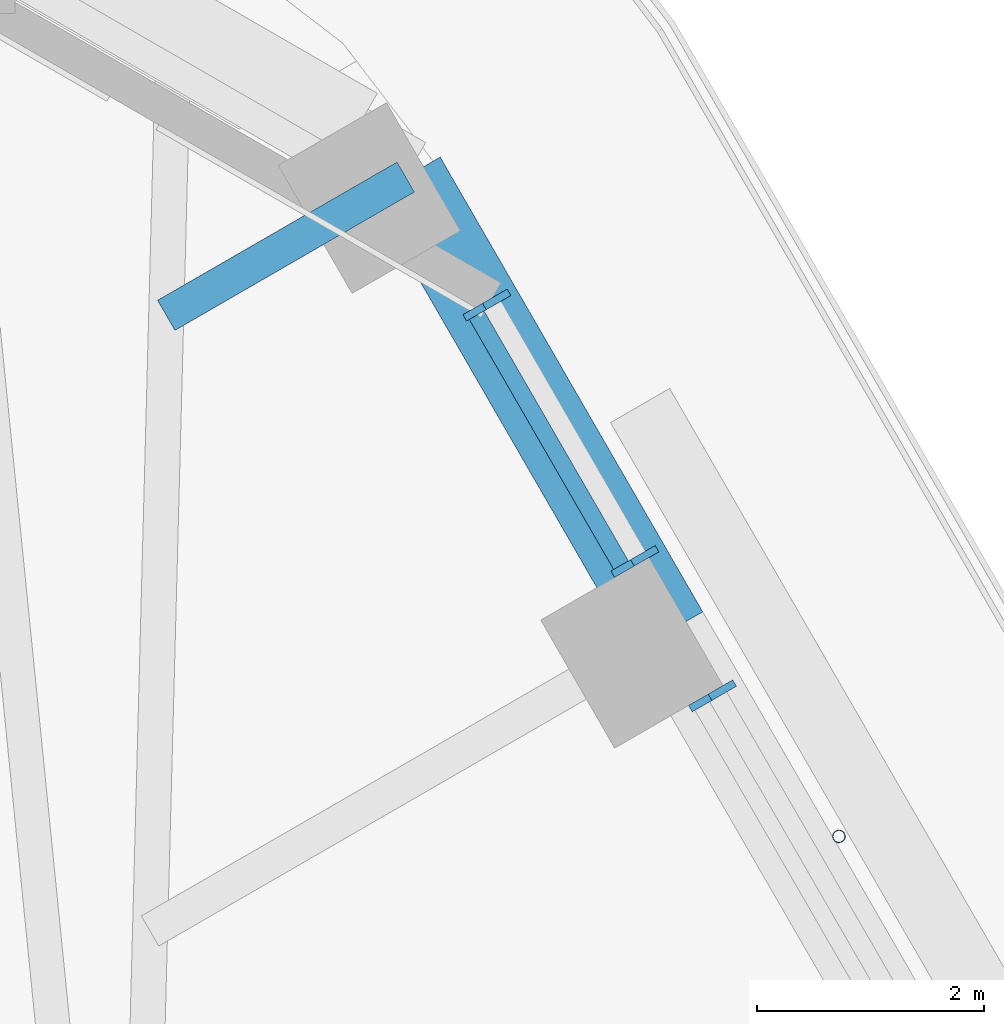
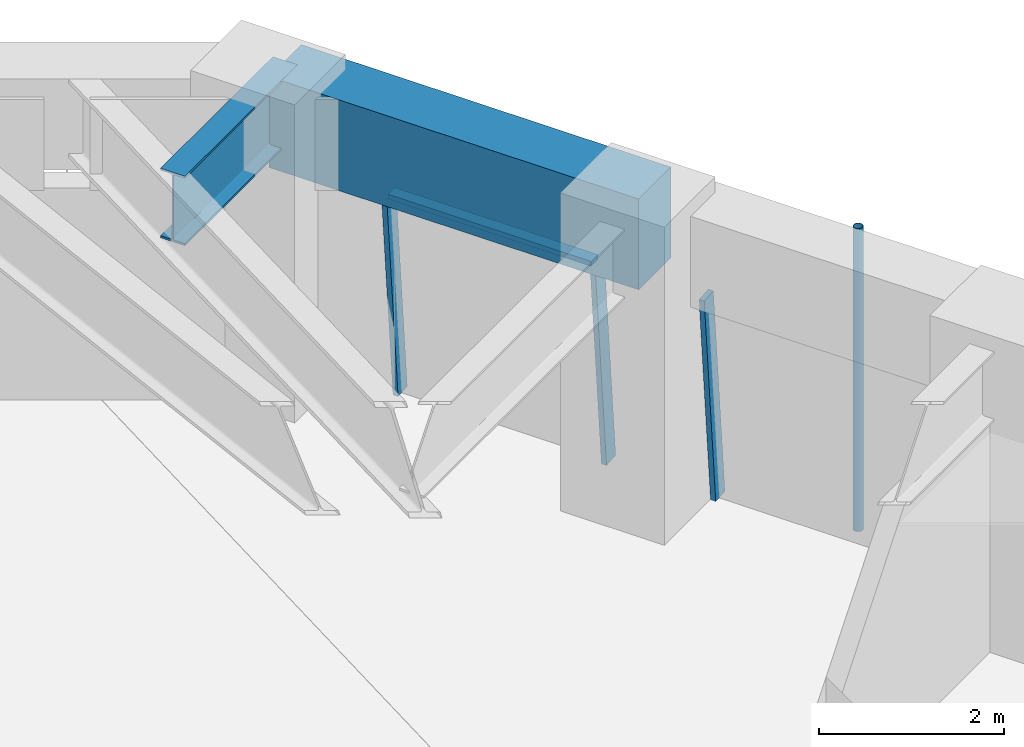
# One storey, part 12 of 20: 5 members, 2 beams, 2 elements without a shape of their own.
"""IFC4 building model written with IfcOpenShell, lengths in metres."""

from ifc_helpers import new_model, si_unit, direction, frame, origin, origin_2d, place, context, subcontext, project, spatial, rectangle, hollow_circle, i_section, extrude, material, material_profile, profile_set, type_object, element, aggregate, save


model = new_model("IFC4")

# Units and contexts
model_context = context("Model", 3, precision=1e-05, world=origin(), true_north=direction((0.0, 1.0)))
body_context = subcontext(model_context, "Body", "Model", "MODEL_VIEW")
ifc_project = project(units=[si_unit("LENGTHUNIT", "METRE"), si_unit("AREAUNIT", "SQUARE_METRE"), si_unit("VOLUMEUNIT", "CUBIC_METRE"), si_unit("PLANEANGLEUNIT", "RADIAN"), si_unit("MASSUNIT", "GRAM", prefix="KILO")], contexts=[model_context])

# Site, building, storey
site_placement = place(None, origin())
site = spatial("IfcSite", under=ifc_project, at=site_placement, CompositionType="ELEMENT")
building_placement = place(site_placement, origin())
building = spatial("IfcBuilding", under=site, at=building_placement, Name="Tarfa Lantern Tower", CompositionType="ELEMENT")
storey_placement = place(building_placement, frame((0.0, 0.0, 244.89990234375)))
storey = spatial("IfcBuildingStorey", under=building, at=storey_placement, Name="L55", CompositionType="ELEMENT", Elevation=244.89990234375)

# Curtain wall, member
ifc_material_1 = material(Name="Aluminium framed curtain wall", Category="aluminium")
curtain_wall_type = type_object("IfcCurtainWallType", Name="CW3 CANTED GLAZING HIGH ZONE 2800", PredefinedType="USERDEFINED", material=ifc_material_1)
curtain_wall_1_placement = place(storey_placement, origin())
curtain_wall_1 = element("IfcCurtainWall", 1, at=curtain_wall_1_placement, inside=storey, type_object=curtain_wall_type, Name="CW3 NE L55", ObjectType="CURTAIN WALL", PredefinedType="USERDEFINED")
ifc_material_2 = material(Name="Aluminium mullion", Category="aluminium")
ifc_material_profile_1 = material_profile(ifc_material_2, rectangle(XDim=0.06494140625, YDim=0.199951171875, at=origin_2d()), Name="AL MULLION 65x200")
ifc_profile_set_1 = profile_set([ifc_material_profile_1], Name="Aluminium mullion")
member_type_1 = type_object("IfcMemberType", Name="CWM1 MULLION 65x200", PredefinedType="MULLION", material=ifc_profile_set_1)
member_1_placement = place(storey_placement, frame((20.75048828125, 21.85888671875, 0.0), z_axis=(-0.076946055247, -0.044465440504, 0.996043236603), x_axis=(0.500342721131, -0.865827443207, 0.0)))
member_1 = element("IfcMember", 2, at=member_1_placement, type_object=member_type_1, Name="CW3 mullion 2", PredefinedType="MULLION", context=body_context, shape_type="SweptSolid", body=[
    extrude(rectangle(XDim=0.06494140625, YDim=0.199951171875, at=origin_2d()), origin(), (0.0, 0.0, 1.0), 2.811279296875),
])
aggregate(curtain_wall_1, [member_1])

# Curtain wall, members
curtain_wall_2_placement = place(storey_placement, origin())
curtain_wall_2 = element("IfcCurtainWall", 3, at=curtain_wall_2_placement, inside=storey, type_object=curtain_wall_type, Name="CW3 NE L55", ObjectType="CURTAIN WALL", PredefinedType="USERDEFINED")
member_2_placement = place(storey_placement, frame((20.068115234375, 23.041015625, 0.0), z_axis=(-0.077032386753, -0.044465143199, 0.996036576854), x_axis=(0.499919672301, -0.866071776036, 0.0)))
member_2 = element("IfcMember", 4, at=member_2_placement, type_object=member_type_1, Name="CW3 mullion 1", PredefinedType="MULLION", context=body_context, shape_type="SweptSolid", body=[
    extrude(rectangle(XDim=0.06494140625, YDim=0.199951171875, at=origin_2d()), origin(), (0.0, 0.0, 1.0), 2.811279296875),
])
member_3_placement = place(storey_placement, frame((18.76611328125, 25.296142578125, 0.0), z_axis=(-0.077032386753, -0.044465143199, 0.996036576854), x_axis=(0.499919672301, -0.866071776036, 0.0)))
member_3 = element("IfcMember", 5, at=member_3_placement, type_object=member_type_1, Name="CW3 mullion 2", PredefinedType="MULLION", context=body_context, shape_type="SweptSolid", body=[
    extrude(rectangle(XDim=0.06494140625, YDim=0.199951171875, at=origin_2d()), origin(), (0.0, 0.0, 1.0), 2.811279296875),
])
ifc_material_3 = material(Name="Aluminium transom", Category="aluminium")
ifc_material_profile_2 = material_profile(ifc_material_3, rectangle(XDim=0.14990234375, YDim=0.06494140625, at=origin_2d()), Name="AL TRANSOM 150x65")
ifc_profile_set_2 = profile_set([ifc_material_profile_2], Name="Aluminium transom")
member_type_2 = type_object("IfcMemberType", Name="CWT1 TRANSOM 150x65", PredefinedType="USERDEFINED", material=ifc_profile_set_2)
member_4_placement = place(storey_placement, frame((19.837890625, 22.945556640625, 2.767578125), z_axis=(-0.500027655771, 0.866009436129, 0.0), x_axis=(-0.866009436129, -0.500027655771, 0.0)))
member_4 = element("IfcMember", 6, at=member_4_placement, type_object=member_type_2, Name="CW3 transom 1.2", ObjectType="TRANSOM", PredefinedType="USERDEFINED", context=body_context, shape_type="SweptSolid", body=[
    extrude(rectangle(XDim=0.14990234375, YDim=0.06494140625, at=origin_2d()), origin(), (0.0, 0.0, 1.0), 2.538818359375),
])
aggregate(curtain_wall_2, [member_2, member_3, member_4])

# Beam
ifc_material_4 = material(Name="Concrete C80/95", Category="concrete")
ifc_material_profile_3 = material_profile(ifc_material_4, rectangle(XDim=0.699951171875, YDim=1.199951171875, at=origin_2d()), Name="RC 700x1200")
ifc_profile_set_3 = profile_set([ifc_material_profile_3], Name="Concrete C80/95")
beam_type_1 = type_object("IfcBeamType", Name="EB3 RC 700x1200", PredefinedType="SPANDREL", material=ifc_profile_set_3)
beam_1_placement = place(storey_placement, frame((20.25341796875, 22.360107421875, 3.400146484375), z_axis=(-0.499987836815, 0.866032426089, 0.0), x_axis=(-0.866032426089, -0.499987836815, 0.0)))
element("IfcBeam", 7, at=beam_1_placement, inside=storey, type_object=beam_type_1, Name="Edge beam NE5", PredefinedType="SPANDREL", context=body_context, shape_type="SweptSolid", body=[
    extrude(rectangle(XDim=0.699951171875, YDim=1.199951171875, at=origin_2d()), origin(), (0.0, 0.0, 1.0), 4.61865234375),
])

# Member
ifc_material_5 = material(Name="Steel S355", Category="steel")
ifc_material_profile_4 = material_profile(ifc_material_5, hollow_circle(Radius=0.05712890625, WallThickness=0.00634765625, at=origin_2d()), Name="CHS114.3x6.3")
ifc_profile_set_4 = profile_set([ifc_material_profile_4], Name="Steel S355")
member_type_3 = type_object("IfcMemberType", Name="TR1 GREEN WALL TRELLIS CHS114.3x6.3", PredefinedType="USERDEFINED", material=ifc_profile_set_4)
member_5_placement = place(storey_placement, frame((21.754638671875, 20.56005859375, 0.0), z_axis=(0.0, 0.0, 1.0), x_axis=(1.0, 0.0, 0.0)))
element("IfcMember", 8, at=member_5_placement, inside=storey, type_object=member_type_3, Name="Trellis post NE 2", ObjectType="TRELLIS", PredefinedType="USERDEFINED", context=body_context, shape_type="SweptSolid", body=[
    extrude(hollow_circle(Radius=0.05712890625, WallThickness=0.00634765625, at=origin_2d()), origin(), (0.0, 0.0, 1.0), 4.0),
])

# Beam
ifc_material_6 = material(Name="Steel S460M", Category="steel")
ifc_material_profile_5 = material_profile(ifc_material_6, i_section(OverallWidth=0.305419921875, OverallDepth=0.91845703125, WebThickness=0.017333984375, FlangeThickness=0.02783203125, FilletRadius=0.01904296875, at=origin_2d()), Name="UB914x305x253")
ifc_profile_set_5 = profile_set([ifc_material_profile_5], Name="Steel S460M")
beam_type_2 = type_object("IfcBeamType", Name="UB914x305x253", PredefinedType="BEAM", material=ifc_profile_set_5)
beam_2_placement = place(storey_placement, frame((17.944091796875, 26.360107421875, 3.541015625), z_axis=(-0.865980009423, -0.5000786171, 0.0), x_axis=(0.5000786171, -0.865980009423, 0.0)))
element("IfcBeam", 9, at=beam_2_placement, inside=storey, type_object=beam_type_2, Name="Floor beam NE6", PredefinedType="BEAM", context=body_context, shape_type="SweptSolid", body=[
    extrude(i_section(OverallWidth=0.305419921875, OverallDepth=0.91845703125, WebThickness=0.017333984375, FlangeThickness=0.02783203125, FilletRadius=0.01904296875, at=origin_2d()), origin(), (0.0, 0.0, 1.0), 2.4326171875),
])

save(model, "model.ifc")
